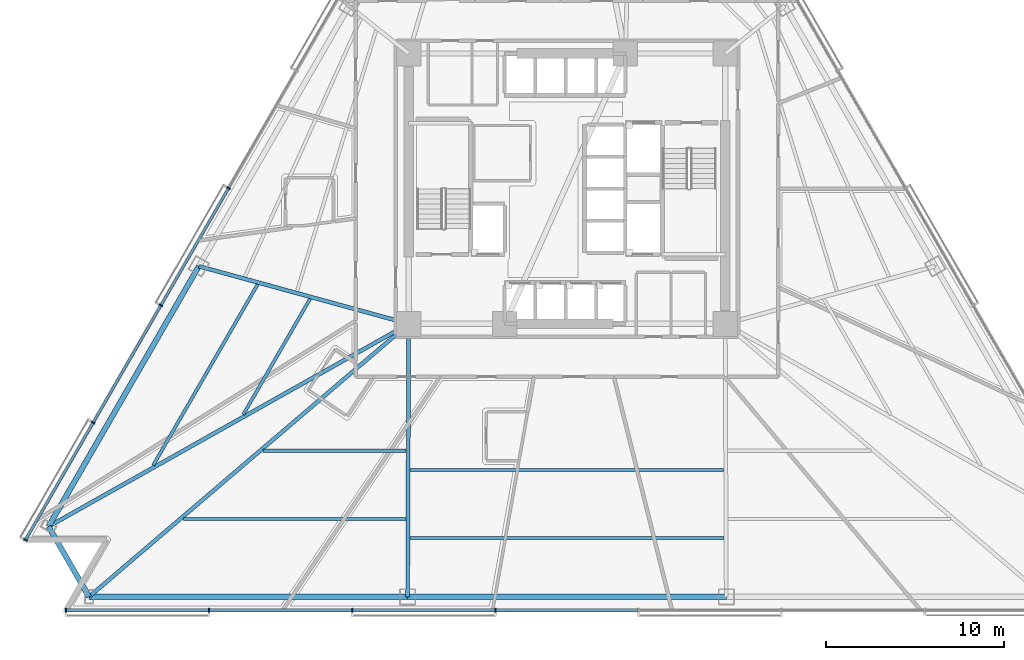
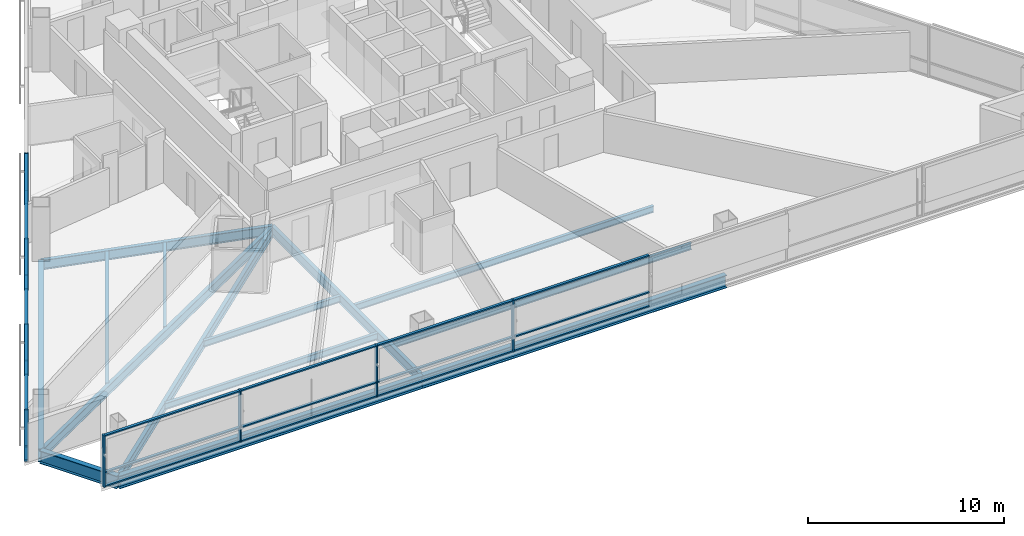
# One storey, part 2 of 16: 29 members, 14 beams, 2 elements without a shape of their own.
"""IFC4 building model written with IfcOpenShell, lengths in metres."""

from ifc_helpers import new_model, si_unit, direction, frame, origin, origin_2d, place, context, subcontext, project, spatial, rectangle, i_section, extrude, material, layer, layer_set, material_profile, profile_set, type_object, element, aggregate, save


model = new_model("IFC4")

# Units and contexts
model_context = context("Model", 3, precision=1e-05, world=origin(), true_north=direction((0.0, 1.0)))
body_context = subcontext(model_context, "Body", "Model", "MODEL_VIEW")
ifc_project = project(units=[si_unit("LENGTHUNIT", "METRE"), si_unit("AREAUNIT", "SQUARE_METRE"), si_unit("VOLUMEUNIT", "CUBIC_METRE"), si_unit("PLANEANGLEUNIT", "RADIAN"), si_unit("MASSUNIT", "GRAM", prefix="KILO")], contexts=[model_context])

# Site, building, storey
site_placement = place(None, origin())
site = spatial("IfcSite", under=ifc_project, at=site_placement, CompositionType="ELEMENT")
building_placement = place(site_placement, origin())
building = spatial("IfcBuilding", under=site, at=building_placement, Name="Tharavind Bronze Gate", CompositionType="ELEMENT")
storey_placement = place(building_placement, frame((0.0, 0.0, 42.050048828125)))
storey = spatial("IfcBuildingStorey", under=building, at=storey_placement, Name="L09", CompositionType="ELEMENT", Elevation=42.050048828125)

# Curtain wall, members
ifc_material_1 = material(Name="Anodised Bronze Aluminium", Category="aluminium")
ifc_layer = layer(ifc_material_1, 0.219970703125)
ifc_layer_set = layer_set([ifc_layer], Name="Anodised Bronze Aluminium")
curtain_wall_type = type_object("IfcCurtainWallType", Name="UNITISED CURTAIN WALL HOTEL", PredefinedType="USERDEFINED", material=ifc_layer_set)
curtain_wall_1_placement = place(storey_placement, origin())
curtain_wall_1 = element("IfcCurtainWall", 1, at=curtain_wall_1_placement, inside=storey, type_object=curtain_wall_type, Name="L09 unitised curtain wall hotel CW-L09-S1", ObjectType="UNITISED CURTAIN WALL", PredefinedType="USERDEFINED")
member_type_1 = type_object("IfcMemberType", Name="CURTAIN WALL MULLION 80X220", PredefinedType="MULLION", material=ifc_material_1)
member_1_placement = place(storey_placement, frame((-19.031982421875, 0.035888671875, 0.0), z_axis=(0.0, 0.0, 1.0), x_axis=(-0.500001511499, -0.866024531118, 0.0)))
member_1 = element("IfcMember", 2, at=member_1_placement, type_object=member_type_1, Name="CW-L09-S1 mullion 5", PredefinedType="MULLION", context=body_context, shape_type="SweptSolid", body=[
    extrude(rectangle(XDim=0.080078125, YDim=0.219970703125, at=origin_2d()), origin(), (0.0, 0.0, 1.0), 3.22509765625),
])
member_2_placement = place(storey_placement, frame((-22.83984375, -6.559814453125, 0.0), z_axis=(0.0, 0.0, 1.0), x_axis=(-0.500001511499, -0.866024531118, 0.0)))
member_2 = element("IfcMember", 3, at=member_2_placement, type_object=member_type_1, Name="CW-L09-S1 mullion 6", PredefinedType="MULLION", context=body_context, shape_type="SweptSolid", body=[
    extrude(rectangle(XDim=0.080078125, YDim=0.219970703125, at=origin_2d()), origin(), (0.0, 0.0, 1.0), 3.22509765625),
])
member_3_placement = place(storey_placement, frame((-26.647705078125, -13.1552734375, 0.0), z_axis=(0.0, 0.0, 1.0), x_axis=(-0.500001511499, -0.866024531118, 0.0)))
member_3 = element("IfcMember", 4, at=member_3_placement, type_object=member_type_1, Name="CW-L09-S1 mullion 7", PredefinedType="MULLION", context=body_context, shape_type="SweptSolid", body=[
    extrude(rectangle(XDim=0.080078125, YDim=0.219970703125, at=origin_2d()), origin(), (0.0, 0.0, 1.0), 3.22509765625),
])
member_4_placement = place(storey_placement, frame((-30.455810546875, -19.7509765625, 0.0), z_axis=(0.0, 0.0, 1.0), x_axis=(-0.500001511499, -0.866024531118, 0.0)))
member_4 = element("IfcMember", 5, at=member_4_placement, type_object=member_type_1, Name="CW-L09-S1 mullion 8", PredefinedType="MULLION", context=body_context, shape_type="SweptSolid", body=[
    extrude(rectangle(XDim=0.080078125, YDim=0.219970703125, at=origin_2d()), origin(), (0.0, 0.0, 1.0), 3.22509765625),
])

curtain_wall_2_placement = place(storey_placement, origin())
curtain_wall_2 = element("IfcCurtainWall", 6, at=curtain_wall_2_placement, inside=storey, type_object=curtain_wall_type, Name="L09 unitised curtain wall hotel CW-L09-S2", ObjectType="UNITISED CURTAIN WALL", PredefinedType="USERDEFINED")
member_5_placement = place(storey_placement, frame((-28.17578125, -23.699951171875, 0.0), z_axis=(0.0, 0.0, 1.0), x_axis=(1.0, 0.0, 0.0)))
member_5 = element("IfcMember", 7, at=member_5_placement, type_object=member_type_1, Name="CW-L09-S2 mullion 1", PredefinedType="MULLION", context=body_context, shape_type="SweptSolid", body=[
    extrude(rectangle(XDim=0.080078125, YDim=0.219970703125, at=origin_2d()), origin(), (0.0, 0.0, 1.0), 3.22509765625),
])
member_6_placement = place(storey_placement, frame((-20.12548828125, -23.699951171875, 0.0), z_axis=(0.0, 0.0, 1.0), x_axis=(1.0, 0.0, 0.0)))
member_6 = element("IfcMember", 8, at=member_6_placement, type_object=member_type_1, Name="CW-L09-S2 mullion 2", PredefinedType="MULLION", context=body_context, shape_type="SweptSolid", body=[
    extrude(rectangle(XDim=0.080078125, YDim=0.219970703125, at=origin_2d()), origin(), (0.0, 0.0, 1.0), 3.22509765625),
])
member_7_placement = place(storey_placement, frame((-12.0751953125, -23.699951171875, 0.0), z_axis=(0.0, 0.0, 1.0), x_axis=(1.0, 0.0, 0.0)))
member_7 = element("IfcMember", 9, at=member_7_placement, type_object=member_type_1, Name="CW-L09-S2 mullion 3", PredefinedType="MULLION", context=body_context, shape_type="SweptSolid", body=[
    extrude(rectangle(XDim=0.080078125, YDim=0.219970703125, at=origin_2d()), origin(), (0.0, 0.0, 1.0), 3.22509765625),
])
member_8_placement = place(storey_placement, frame((-4.025146484375, -23.699951171875, 0.0), z_axis=(0.0, 0.0, 1.0), x_axis=(1.0, 0.0, 0.0)))
member_8 = element("IfcMember", 10, at=member_8_placement, type_object=member_type_1, Name="CW-L09-S2 mullion 4", PredefinedType="MULLION", context=body_context, shape_type="SweptSolid", body=[
    extrude(rectangle(XDim=0.080078125, YDim=0.219970703125, at=origin_2d()), origin(), (0.0, 0.0, 1.0), 3.22509765625),
])

# Member
member_type_2 = type_object("IfcMemberType", Name="CURTAIN WALL TRANSOM 80X160", PredefinedType="USERDEFINED", material=ifc_material_1)
member_9_placement = place(storey_placement, frame((-20.935791015625, -3.261962890625, 0.0), z_axis=(0.0, 0.0, 1.0), x_axis=(-0.500001511499, -0.866024531118, 0.0)))
member_9 = element("IfcMember", 11, at=member_9_placement, type_object=member_type_2, Name="CW-L09-S1 transom TB5", ObjectType="TRANSOM", PredefinedType="USERDEFINED", context=body_context, shape_type="SweptSolid", body=[
    extrude(rectangle(XDim=7.5478515625, YDim=0.159912109375, at=origin_2d()), origin(), (0.0, 0.0, 1.0), 0.080078125),
])

member_10_placement = place(storey_placement, frame((-20.935791015625, -3.261962890625, 0.85986328125), z_axis=(0.0, 0.0, 1.0), x_axis=(-0.500001511499, -0.866024531118, 0.0)))
member_10 = element("IfcMember", 12, at=member_10_placement, type_object=member_type_2, Name="CW-L09-S1 transom TS5", ObjectType="TRANSOM", PredefinedType="USERDEFINED", context=body_context, shape_type="SweptSolid", body=[
    extrude(rectangle(XDim=7.5478515625, YDim=0.159912109375, at=origin_2d()), origin(), (0.0, 0.0, 1.0), 0.080078125),
])

member_11_placement = place(storey_placement, frame((-20.935791015625, -3.261962890625, 3.14501953125), z_axis=(0.0, 0.0, 1.0), x_axis=(-0.500001511499, -0.866024531118, 0.0)))
member_11 = element("IfcMember", 13, at=member_11_placement, type_object=member_type_2, Name="CW-L09-S1 transom TT5", ObjectType="TRANSOM", PredefinedType="USERDEFINED", context=body_context, shape_type="SweptSolid", body=[
    extrude(rectangle(XDim=7.5478515625, YDim=0.159912109375, at=origin_2d()), origin(), (0.0, 0.0, 1.0), 0.080078125),
])

member_12_placement = place(storey_placement, frame((-24.743896484375, -9.857421875, 0.0), z_axis=(0.0, 0.0, 1.0), x_axis=(-0.500001511499, -0.866024531118, 0.0)))
member_12 = element("IfcMember", 14, at=member_12_placement, type_object=member_type_2, Name="CW-L09-S1 transom TB6", ObjectType="TRANSOM", PredefinedType="USERDEFINED", context=body_context, shape_type="SweptSolid", body=[
    extrude(rectangle(XDim=7.5478515625, YDim=0.159912109375, at=origin_2d()), origin(), (0.0, 0.0, 1.0), 0.080078125),
])

member_13_placement = place(storey_placement, frame((-24.743896484375, -9.857421875, 0.85986328125), z_axis=(0.0, 0.0, 1.0), x_axis=(-0.500001511499, -0.866024531118, 0.0)))
member_13 = element("IfcMember", 15, at=member_13_placement, type_object=member_type_2, Name="CW-L09-S1 transom TS6", ObjectType="TRANSOM", PredefinedType="USERDEFINED", context=body_context, shape_type="SweptSolid", body=[
    extrude(rectangle(XDim=7.5478515625, YDim=0.159912109375, at=origin_2d()), origin(), (0.0, 0.0, 1.0), 0.080078125),
])

member_14_placement = place(storey_placement, frame((-24.743896484375, -9.857421875, 3.14501953125), z_axis=(0.0, 0.0, 1.0), x_axis=(-0.500001511499, -0.866024531118, 0.0)))
member_14 = element("IfcMember", 16, at=member_14_placement, type_object=member_type_2, Name="CW-L09-S1 transom TT6", ObjectType="TRANSOM", PredefinedType="USERDEFINED", context=body_context, shape_type="SweptSolid", body=[
    extrude(rectangle(XDim=7.5478515625, YDim=0.159912109375, at=origin_2d()), origin(), (0.0, 0.0, 1.0), 0.080078125),
])

member_15_placement = place(storey_placement, frame((-28.5517578125, -16.453125, 0.0), z_axis=(0.0, 0.0, 1.0), x_axis=(-0.500001511499, -0.866024531118, 0.0)))
member_15 = element("IfcMember", 17, at=member_15_placement, type_object=member_type_2, Name="CW-L09-S1 transom TB7", ObjectType="TRANSOM", PredefinedType="USERDEFINED", context=body_context, shape_type="SweptSolid", body=[
    extrude(rectangle(XDim=7.5478515625, YDim=0.159912109375, at=origin_2d()), origin(), (0.0, 0.0, 1.0), 0.080078125),
])

member_16_placement = place(storey_placement, frame((-28.5517578125, -16.453125, 0.85986328125), z_axis=(0.0, 0.0, 1.0), x_axis=(-0.500001511499, -0.866024531118, 0.0)))
member_16 = element("IfcMember", 18, at=member_16_placement, type_object=member_type_2, Name="CW-L09-S1 transom TS7", ObjectType="TRANSOM", PredefinedType="USERDEFINED", context=body_context, shape_type="SweptSolid", body=[
    extrude(rectangle(XDim=7.5478515625, YDim=0.159912109375, at=origin_2d()), origin(), (0.0, 0.0, 1.0), 0.080078125),
])

member_17_placement = place(storey_placement, frame((-28.5517578125, -16.453125, 3.14501953125), z_axis=(0.0, 0.0, 1.0), x_axis=(-0.500001511499, -0.866024531118, 0.0)))
member_17 = element("IfcMember", 19, at=member_17_placement, type_object=member_type_2, Name="CW-L09-S1 transom TT7", ObjectType="TRANSOM", PredefinedType="USERDEFINED", context=body_context, shape_type="SweptSolid", body=[
    extrude(rectangle(XDim=7.5478515625, YDim=0.159912109375, at=origin_2d()), origin(), (0.0, 0.0, 1.0), 0.080078125),
])

aggregate(curtain_wall_1, [member_1, member_2, member_3, member_4, member_9, member_10, member_11, member_12, member_13, member_14, member_15, member_16, member_17])

member_18_placement = place(storey_placement, frame((-24.150634765625, -23.699951171875, 0.0), z_axis=(0.0, 0.0, 1.0), x_axis=(1.0, 0.0, 0.0)))
member_18 = element("IfcMember", 20, at=member_18_placement, type_object=member_type_2, Name="CW-L09-S2 transom TB1", ObjectType="TRANSOM", PredefinedType="USERDEFINED", context=body_context, shape_type="SweptSolid", body=[
    extrude(rectangle(XDim=7.982177734375, YDim=0.159912109375, at=origin_2d()), origin(), (0.0, 0.0, 1.0), 0.080078125),
])

member_19_placement = place(storey_placement, frame((-24.150634765625, -23.699951171875, 0.85986328125), z_axis=(0.0, 0.0, 1.0), x_axis=(1.0, 0.0, 0.0)))
member_19 = element("IfcMember", 21, at=member_19_placement, type_object=member_type_2, Name="CW-L09-S2 transom TS1", ObjectType="TRANSOM", PredefinedType="USERDEFINED", context=body_context, shape_type="SweptSolid", body=[
    extrude(rectangle(XDim=7.982177734375, YDim=0.159912109375, at=origin_2d()), origin(), (0.0, 0.0, 1.0), 0.080078125),
])

member_20_placement = place(storey_placement, frame((-24.150634765625, -23.699951171875, 3.14501953125), z_axis=(0.0, 0.0, 1.0), x_axis=(1.0, 0.0, 0.0)))
member_20 = element("IfcMember", 22, at=member_20_placement, type_object=member_type_2, Name="CW-L09-S2 transom TT1", ObjectType="TRANSOM", PredefinedType="USERDEFINED", context=body_context, shape_type="SweptSolid", body=[
    extrude(rectangle(XDim=7.982177734375, YDim=0.159912109375, at=origin_2d()), origin(), (0.0, 0.0, 1.0), 0.080078125),
])

member_21_placement = place(storey_placement, frame((-16.1005859375, -23.699951171875, 0.0), z_axis=(0.0, 0.0, 1.0), x_axis=(1.0, 0.0, 0.0)))
member_21 = element("IfcMember", 23, at=member_21_placement, type_object=member_type_2, Name="CW-L09-S2 transom TB2", ObjectType="TRANSOM", PredefinedType="USERDEFINED", context=body_context, shape_type="SweptSolid", body=[
    extrude(rectangle(XDim=7.982177734375, YDim=0.159912109375, at=origin_2d()), origin(), (0.0, 0.0, 1.0), 0.080078125),
])

member_22_placement = place(storey_placement, frame((-16.1005859375, -23.699951171875, 0.85986328125), z_axis=(0.0, 0.0, 1.0), x_axis=(1.0, 0.0, 0.0)))
member_22 = element("IfcMember", 24, at=member_22_placement, type_object=member_type_2, Name="CW-L09-S2 transom TS2", ObjectType="TRANSOM", PredefinedType="USERDEFINED", context=body_context, shape_type="SweptSolid", body=[
    extrude(rectangle(XDim=7.982177734375, YDim=0.159912109375, at=origin_2d()), origin(), (0.0, 0.0, 1.0), 0.080078125),
])

member_23_placement = place(storey_placement, frame((-16.1005859375, -23.699951171875, 3.14501953125), z_axis=(0.0, 0.0, 1.0), x_axis=(1.0, 0.0, 0.0)))
member_23 = element("IfcMember", 25, at=member_23_placement, type_object=member_type_2, Name="CW-L09-S2 transom TT2", ObjectType="TRANSOM", PredefinedType="USERDEFINED", context=body_context, shape_type="SweptSolid", body=[
    extrude(rectangle(XDim=7.982177734375, YDim=0.159912109375, at=origin_2d()), origin(), (0.0, 0.0, 1.0), 0.080078125),
])

member_24_placement = place(storey_placement, frame((-8.05029296875, -23.699951171875, 0.0), z_axis=(0.0, 0.0, 1.0), x_axis=(1.0, 0.0, 0.0)))
member_24 = element("IfcMember", 26, at=member_24_placement, type_object=member_type_2, Name="CW-L09-S2 transom TB3", ObjectType="TRANSOM", PredefinedType="USERDEFINED", context=body_context, shape_type="SweptSolid", body=[
    extrude(rectangle(XDim=7.982177734375, YDim=0.159912109375, at=origin_2d()), origin(), (0.0, 0.0, 1.0), 0.080078125),
])

member_25_placement = place(storey_placement, frame((-8.05029296875, -23.699951171875, 0.85986328125), z_axis=(0.0, 0.0, 1.0), x_axis=(1.0, 0.0, 0.0)))
member_25 = element("IfcMember", 27, at=member_25_placement, type_object=member_type_2, Name="CW-L09-S2 transom TS3", ObjectType="TRANSOM", PredefinedType="USERDEFINED", context=body_context, shape_type="SweptSolid", body=[
    extrude(rectangle(XDim=7.982177734375, YDim=0.159912109375, at=origin_2d()), origin(), (0.0, 0.0, 1.0), 0.080078125),
])

member_26_placement = place(storey_placement, frame((-8.05029296875, -23.699951171875, 3.14501953125), z_axis=(0.0, 0.0, 1.0), x_axis=(1.0, 0.0, 0.0)))
member_26 = element("IfcMember", 28, at=member_26_placement, type_object=member_type_2, Name="CW-L09-S2 transom TT3", ObjectType="TRANSOM", PredefinedType="USERDEFINED", context=body_context, shape_type="SweptSolid", body=[
    extrude(rectangle(XDim=7.982177734375, YDim=0.159912109375, at=origin_2d()), origin(), (0.0, 0.0, 1.0), 0.080078125),
])

member_27_placement = place(storey_placement, frame((0.0, -23.699951171875, 0.0), z_axis=(0.0, 0.0, 1.0), x_axis=(1.0, 0.0, 0.0)))
member_27 = element("IfcMember", 29, at=member_27_placement, type_object=member_type_2, Name="CW-L09-S2 transom TB4", ObjectType="TRANSOM", PredefinedType="USERDEFINED", context=body_context, shape_type="SweptSolid", body=[
    extrude(rectangle(XDim=7.982177734375, YDim=0.159912109375, at=origin_2d()), origin(), (0.0, 0.0, 1.0), 0.080078125),
])

member_28_placement = place(storey_placement, frame((0.0, -23.699951171875, 0.85986328125), z_axis=(0.0, 0.0, 1.0), x_axis=(1.0, 0.0, 0.0)))
member_28 = element("IfcMember", 30, at=member_28_placement, type_object=member_type_2, Name="CW-L09-S2 transom TS4", ObjectType="TRANSOM", PredefinedType="USERDEFINED", context=body_context, shape_type="SweptSolid", body=[
    extrude(rectangle(XDim=7.982177734375, YDim=0.159912109375, at=origin_2d()), origin(), (0.0, 0.0, 1.0), 0.080078125),
])

member_29_placement = place(storey_placement, frame((0.0, -23.699951171875, 3.14501953125), z_axis=(0.0, 0.0, 1.0), x_axis=(1.0, 0.0, 0.0)))
member_29 = element("IfcMember", 31, at=member_29_placement, type_object=member_type_2, Name="CW-L09-S2 transom TT4", ObjectType="TRANSOM", PredefinedType="USERDEFINED", context=body_context, shape_type="SweptSolid", body=[
    extrude(rectangle(XDim=7.982177734375, YDim=0.159912109375, at=origin_2d()), origin(), (0.0, 0.0, 1.0), 0.080078125),
])

aggregate(curtain_wall_2, [member_5, member_6, member_7, member_8, member_18, member_19, member_20, member_21, member_22, member_23, member_24, member_25, member_26, member_27, member_28, member_29])

# Beams
ifc_material_2 = material(Name="Steel S355", Category="steel")
ifc_material_profile_1 = material_profile(ifc_material_2, i_section(OverallWidth=0.219970703125, OverallDepth=0.60009765625, WebThickness=0.011962890625, FlangeThickness=0.01904296875, at=origin_2d()), Name="IPE600")
ifc_profile_set_1 = profile_set([ifc_material_profile_1], Name="Steel S355")
beam_type_1 = type_object("IfcBeamType", Name="PRIMARY GIRDER IPE600", PredefinedType="USERDEFINED", material=ifc_profile_set_1)
beam_1_placement = place(storey_placement, frame((-20.70458984375, -4.361083984375, -0.47509765625), z_axis=(0.96435718827, -0.264603880228, 0.0), x_axis=(0.264603880228, 0.96435718827, 0.0)))
element("IfcBeam", 32, at=beam_1_placement, inside=storey, type_object=beam_type_1, Name="L09 primary girder ipe600 BM-L09-RAD03", ObjectType="GIRDER", PredefinedType="USERDEFINED", context=body_context, shape_type="SweptSolid", body=[
    extrude(i_section(OverallWidth=0.219970703125, OverallDepth=0.60009765625, WebThickness=0.011962890625, FlangeThickness=0.01904296875, at=origin_2d()), origin(), (0.0, 0.0, 1.0), 12.240966796875),
])
beam_2_placement = place(storey_placement, frame((-29.15673828125, -19.0009765625, -0.47509765625), z_axis=(0.871457703454, 0.490470662824, 0.0), x_axis=(-0.490470662824, 0.871457703454, 0.0)))
element("IfcBeam", 33, at=beam_2_placement, inside=storey, type_object=beam_type_1, Name="L09 primary girder ipe600 BM-L09-RAD04", ObjectType="GIRDER", PredefinedType="USERDEFINED", context=body_context, shape_type="SweptSolid", body=[
    extrude(i_section(OverallWidth=0.219970703125, OverallDepth=0.60009765625, WebThickness=0.011962890625, FlangeThickness=0.01904296875, at=origin_2d()), origin(), (0.0, 0.0, 1.0), 23.244873046875),
])
beam_3_placement = place(storey_placement, frame((-26.876708984375, -22.949951171875, -0.47509765625), z_axis=(0.76048513475, 0.649355341723, 0.0), x_axis=(-0.649355341723, 0.76048513475, 0.0)))
element("IfcBeam", 34, at=beam_3_placement, inside=storey, type_object=beam_type_1, Name="L09 primary girder ipe600 BM-L09-RAD05", ObjectType="GIRDER", PredefinedType="USERDEFINED", context=body_context, shape_type="SweptSolid", body=[
    extrude(i_section(OverallWidth=0.219970703125, OverallDepth=0.60009765625, WebThickness=0.011962890625, FlangeThickness=0.01904296875, at=origin_2d()), origin(), (0.0, 0.0, 1.0), 23.638671875),
])
beam_4_placement = place(storey_placement, frame((-8.958984375, -22.949951171875, -0.47509765625), z_axis=(0.003849000484, 0.99999259257, 0.0), x_axis=(-0.99999259257, 0.003849000484, 0.0)))
element("IfcBeam", 35, at=beam_4_placement, inside=storey, type_object=beam_type_1, Name="L09 primary girder ipe600 BM-L09-RAD06", ObjectType="GIRDER", PredefinedType="USERDEFINED", context=body_context, shape_type="SweptSolid", body=[
    extrude(i_section(OverallWidth=0.219970703125, OverallDepth=0.60009765625, WebThickness=0.011962890625, FlangeThickness=0.01904296875, at=origin_2d()), origin(), (0.0, 0.0, 1.0), 15.349853515625),
])
ifc_material_profile_2 = material_profile(ifc_material_2, i_section(OverallWidth=0.300048828125, OverallDepth=0.800048828125, WebThickness=0.017578125, FlangeThickness=0.032958984375, at=origin_2d()), Name="HE800B")
ifc_profile_set_2 = profile_set([ifc_material_profile_2], Name="Steel S355")
beam_type_2 = type_object("IfcBeamType", Name="RING GIRDER HE800B", PredefinedType="USERDEFINED", material=ifc_profile_set_2)
beam_5_placement = place(storey_placement, frame((-20.70458984375, -4.361083984375, -0.574951171875), z_axis=(-0.4999912383, -0.866030462295, 0.0), x_axis=(0.866030462295, -0.4999912383, 0.0)))
element("IfcBeam", 36, at=beam_5_placement, inside=storey, type_object=beam_type_2, Name="L09 ring girder he800b BM-L09-PRG03", ObjectType="GIRDER", PredefinedType="USERDEFINED", context=body_context, shape_type="SweptSolid", body=[
    extrude(i_section(OverallWidth=0.300048828125, OverallDepth=0.800048828125, WebThickness=0.017578125, FlangeThickness=0.032958984375, at=origin_2d()), origin(), (0.0, 0.0, 1.0), 16.904541015625),
])
beam_6_placement = place(storey_placement, frame((-29.15673828125, -19.0009765625, -0.574951171875), z_axis=(0.500014431597, -0.866017071537, 0.0), x_axis=(0.866017071537, 0.500014431597, 0.0)))
element("IfcBeam", 37, at=beam_6_placement, inside=storey, type_object=beam_type_2, Name="L09 ring girder he800b BM-L09-PRG04", ObjectType="GIRDER", PredefinedType="USERDEFINED", context=body_context, shape_type="SweptSolid", body=[
    extrude(i_section(OverallWidth=0.300048828125, OverallDepth=0.800048828125, WebThickness=0.017578125, FlangeThickness=0.032958984375, at=origin_2d()), origin(), (0.0, 0.0, 1.0), 4.559814453125),
])
beam_7_placement = place(storey_placement, frame((-26.876708984375, -22.949951171875, -0.574951171875), z_axis=(1.0, 0.0, 0.0), x_axis=(0.0, 1.0, 0.0)))
element("IfcBeam", 38, at=beam_7_placement, inside=storey, type_object=beam_type_2, Name="L09 ring girder he800b BM-L09-PRG05", ObjectType="GIRDER", PredefinedType="USERDEFINED", context=body_context, shape_type="SweptSolid", body=[
    extrude(i_section(OverallWidth=0.300048828125, OverallDepth=0.800048828125, WebThickness=0.017578125, FlangeThickness=0.032958984375, at=origin_2d()), origin(), (0.0, 0.0, 1.0), 17.917724609375),
])
beam_8_placement = place(storey_placement, frame((-8.958984375, -22.949951171875, -0.574951171875), z_axis=(1.0, 0.0, 0.0), x_axis=(0.0, 1.0, 0.0)))
element("IfcBeam", 39, at=beam_8_placement, inside=storey, type_object=beam_type_2, Name="L09 ring girder he800b BM-L09-PRG06", ObjectType="GIRDER", PredefinedType="USERDEFINED", context=body_context, shape_type="SweptSolid", body=[
    extrude(i_section(OverallWidth=0.300048828125, OverallDepth=0.800048828125, WebThickness=0.017578125, FlangeThickness=0.032958984375, at=origin_2d()), origin(), (0.0, 0.0, 1.0), 17.91796875),
])
ifc_material_profile_3 = material_profile(ifc_material_2, i_section(OverallWidth=0.179931640625, OverallDepth=0.39990234375, WebThickness=0.008544921875, FlangeThickness=0.013427734375, at=origin_2d()), Name="IPE400")
ifc_profile_set_3 = profile_set([ifc_material_profile_3], Name="Steel S355")
beam_type_3 = type_object("IfcBeamType", Name="SECONDARY FLOOR JOIST IPE400", PredefinedType="JOIST", material=ifc_profile_set_3)
beam_9_placement = place(storey_placement, frame((-14.447998046875, -6.19580078125, -0.375), z_axis=(-0.499995879736, -0.866027782607, 0.0), x_axis=(0.866027782607, -0.499995879736, 0.0)))
element("IfcBeam", 40, at=beam_9_placement, inside=storey, type_object=beam_type_3, Name="L09 secondary floor joist ipe400 BM-L09-JSTA03", PredefinedType="JOIST", context=body_context, shape_type="SweptSolid", body=[
    extrude(i_section(OverallWidth=0.179931640625, OverallDepth=0.39990234375, WebThickness=0.008544921875, FlangeThickness=0.013427734375, at=origin_2d()), origin(), (0.0, 0.0, 1.0), 7.52294921875),
])
beam_10_placement = place(storey_placement, frame((-17.399169921875, -5.38623046875, -0.375), z_axis=(-0.499996459651, -0.866027447796, 0.0), x_axis=(0.866027447796, -0.499996459651, 0.0)))
element("IfcBeam", 41, at=beam_10_placement, inside=storey, type_object=beam_type_3, Name="L09 secondary floor joist ipe400 BM-L09-JSTB03", PredefinedType="JOIST", context=body_context, shape_type="SweptSolid", body=[
    extrude(i_section(OverallWidth=0.179931640625, OverallDepth=0.39990234375, WebThickness=0.008544921875, FlangeThickness=0.013427734375, at=origin_2d()), origin(), (0.0, 0.0, 1.0), 11.7490234375),
])
beam_11_placement = place(storey_placement, frame((-17.085693359375, -14.73779296875, -0.375), z_axis=(1.0, 0.0, 0.0), x_axis=(0.0, 1.0, 0.0)))
element("IfcBeam", 42, at=beam_11_placement, inside=storey, type_object=beam_type_3, Name="L09 secondary floor joist ipe400 BM-L09-JSTA05", PredefinedType="JOIST", context=body_context, shape_type="SweptSolid", body=[
    extrude(i_section(OverallWidth=0.179931640625, OverallDepth=0.39990234375, WebThickness=0.008544921875, FlangeThickness=0.013427734375, at=origin_2d()), origin(), (0.0, 0.0, 1.0), 8.044189453125),
])
beam_12_placement = place(storey_placement, frame((-21.580078125, -18.5751953125, -0.375), z_axis=(1.0, 0.0, 0.0), x_axis=(0.0, 1.0, 0.0)))
element("IfcBeam", 43, at=beam_12_placement, inside=storey, type_object=beam_type_3, Name="L09 secondary floor joist ipe400 BM-L09-JSTB05", PredefinedType="JOIST", context=body_context, shape_type="SweptSolid", body=[
    extrude(i_section(OverallWidth=0.179931640625, OverallDepth=0.39990234375, WebThickness=0.008544921875, FlangeThickness=0.013427734375, at=origin_2d()), origin(), (0.0, 0.0, 1.0), 12.52392578125),
])
beam_13_placement = place(storey_placement, frame((-8.8173828125, -15.812255859375, -0.375), z_axis=(1.0, 0.0, 0.0), x_axis=(0.0, 1.0, 0.0)))
element("IfcBeam", 44, at=beam_13_placement, inside=storey, type_object=beam_type_3, Name="L09 secondary floor joist ipe400 BM-L09-JSTA06", PredefinedType="JOIST", context=body_context, shape_type="SweptSolid", body=[
    extrude(i_section(OverallWidth=0.179931640625, OverallDepth=0.39990234375, WebThickness=0.008544921875, FlangeThickness=0.013427734375, at=origin_2d()), origin(), (0.0, 0.0, 1.0), 17.634765625),
])
beam_14_placement = place(storey_placement, frame((-8.832275390625, -19.64990234375, -0.375), z_axis=(1.0, 0.0, 0.0), x_axis=(0.0, 1.0, 0.0)))
element("IfcBeam", 45, at=beam_14_placement, inside=storey, type_object=beam_type_3, Name="L09 secondary floor joist ipe400 BM-L09-JSTB06", PredefinedType="JOIST", context=body_context, shape_type="SweptSolid", body=[
    extrude(i_section(OverallWidth=0.179931640625, OverallDepth=0.39990234375, WebThickness=0.008544921875, FlangeThickness=0.013427734375, at=origin_2d()), origin(), (0.0, 0.0, 1.0), 17.66455078125),
])

save(model, "model.ifc")
